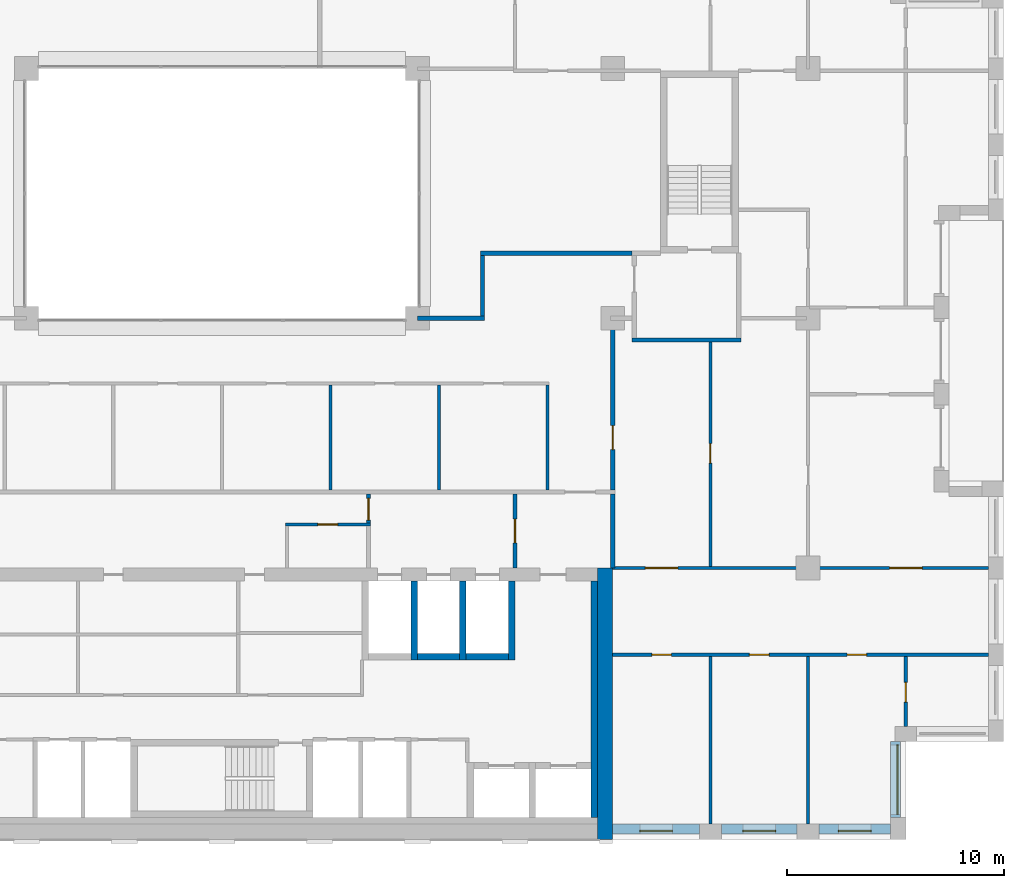
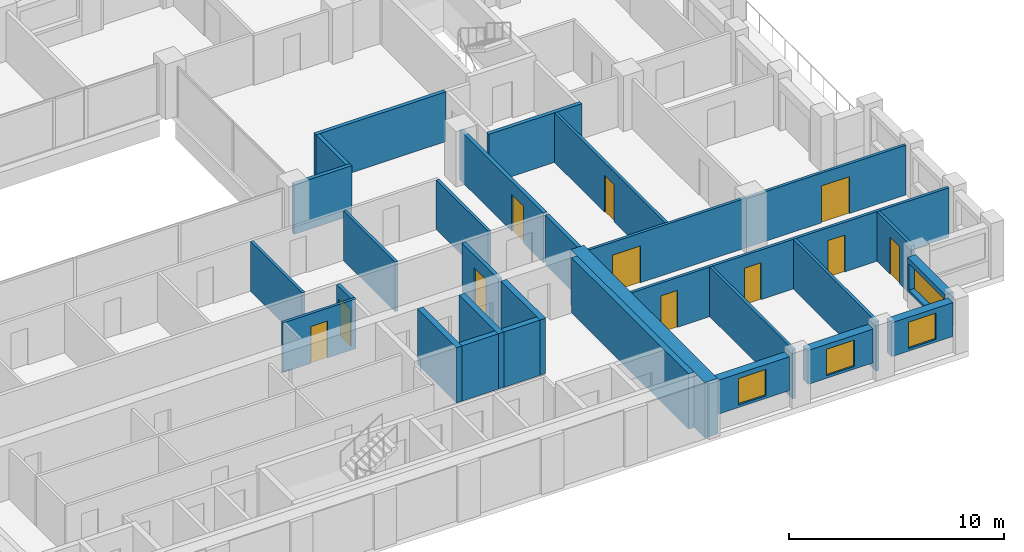
# One storey, part 11 of 16: 29 walls, 11 doors, 4 windows, 15 openings.
"""IFC4 building model written with IfcOpenShell, lengths in metres."""

import ifcopenshell
import ifcopenshell.guid

model = None  # the IFC model being written
_history = None  # IfcOwnerHistory: only IFC2X3 demands one
_inside = {}  # id of a spatial element -> (the spatial element, [elements in it])
_under = {}  # id of a project, library or spatial element -> (it, [spatial elements below it])
_declared = {}  # id of a project -> (the project, [libraries it declares])
_typed = {}  # id of a type object -> (the type object, [elements of that type])
_made_of = {}  # id of a material, layer set ... -> (it, [elements and type objects made of it])


def new_model(schema):
    """Start an empty IFC model of exactly this schema.

    Asked for "IFC4X3", IfcOpenShell would pick the latest addendum, in which some entities
    have other attributes; the version numbers below select the first issue.
    IFC2X3 requires an IfcOwnerHistory on every rooted entity: one is made here for all.
    """
    global model, _history
    if schema == "IFC4X3":
        model = ifcopenshell.file(schema_version=(4, 3, 0, 0))
    else:
        model = ifcopenshell.file(schema=schema)
    _inside.clear()
    _under.clear()
    _declared.clear()
    _typed.clear()
    _made_of.clear()
    _history = None
    if model.schema == "IFC2X3":
        org = make("IfcOrganization", Name="unknown")
        user = make(
            "IfcPersonAndOrganization",
            ThePerson=make("IfcPerson", FamilyName="unknown"),
            TheOrganization=org,
        )
        app = make(
            "IfcApplication",
            ApplicationDeveloper=org,
            Version="unknown",
            ApplicationFullName="unknown",
            ApplicationIdentifier="unknown",
        )
        _history = make(
            "IfcOwnerHistory",
            OwningUser=user,
            OwningApplication=app,
            ChangeAction="ADDED",
            CreationDate=0,
        )
    return model


def make(cls, **values):
    """One entity of the class cls with the attributes given. An attribute that is None is left unset."""
    return model.create_entity(
        cls, **{name: value for name, value in values.items() if value is not None}
    )


def rooted(cls, **values):
    """An entity with a GlobalId (a new one), such as an element, a storey or a relation."""
    return make(cls, GlobalId=ifcopenshell.guid.new(), OwnerHistory=_history, **values)


def si_unit(unit_type, name, prefix=None):
    """IfcSIUnit, for example si_unit("LENGTHUNIT", "METRE", prefix="MILLI")."""
    return make("IfcSIUnit", UnitType=unit_type, Prefix=prefix, Name=name)


def assignment(units):
    """IfcUnitAssignment: the units of a project."""
    return None if units is None else make("IfcUnitAssignment", Units=units)


def point(xyz):
    """IfcCartesianPoint."""
    return None if xyz is None else make("IfcCartesianPoint", Coordinates=xyz)


def direction(xyz):
    """IfcDirection."""
    return None if xyz is None else make("IfcDirection", DirectionRatios=xyz)


def frame(location, z_axis=None, x_axis=None):
    """IfcAxis2Placement3D, a coordinate frame: its origin and axes. An axis left out is left unset."""
    return make(
        "IfcAxis2Placement3D",
        Location=point(location),
        Axis=direction(z_axis),
        RefDirection=direction(x_axis),
    )


def frame_2d(location, x_axis=None):
    """IfcAxis2Placement2D, a coordinate frame in the plane: its origin and x axis."""
    return make(
        "IfcAxis2Placement2D", Location=point(location), RefDirection=direction(x_axis)
    )


def origin():
    """The frame at (0, 0, 0) with its axes left unset."""
    return frame((0.0, 0.0, 0.0))


def place(relative_to, where):
    """IfcLocalPlacement: puts the frame where relative to a parent placement (None: the world)."""
    return make(
        "IfcLocalPlacement", PlacementRelTo=relative_to, RelativePlacement=where
    )


def context(
    kind, dimensions, precision=None, world=None, true_north=None, identifier=None
):
    """IfcGeometricRepresentationContext, for example the 3D "Model" context."""
    return make(
        "IfcGeometricRepresentationContext",
        ContextIdentifier=identifier,
        ContextType=kind,
        CoordinateSpaceDimension=dimensions,
        Precision=precision,
        WorldCoordinateSystem=world,
        TrueNorth=true_north,
    )


def subcontext(parent, identifier, kind, view, scale=None):
    """IfcGeometricRepresentationSubContext, for example "Body" below "Model"."""
    return make(
        "IfcGeometricRepresentationSubContext",
        ContextIdentifier=identifier,
        ContextType=kind,
        ParentContext=parent,
        TargetScale=scale,
        TargetView=view,
    )


def project(units=None, contexts=None):
    """IfcProject with its units and contexts."""
    return rooted(
        "IfcProject",
        Name="project",
        RepresentationContexts=contexts,
        UnitsInContext=assignment(units),
    )


def spatial(cls, under=None, at=None, **own):
    """A site, building, storey or space (cls), placed at a placement, below another one or the project."""
    s = rooted(cls, ObjectPlacement=at, **own)
    if under is not None:
        _under.setdefault(under.id(), (under, []))[1].append(s)
    return s


def profile(cls, at=None, kind="AREA", **sizes):
    """A parametric profile (cls). Its sizes go by their IFC names, for example OverallWidth=200.0."""
    return make(cls, ProfileType=kind, Position=at, **sizes)


def rectangle(**sizes):
    """IfcRectangleProfileDef."""
    return profile("IfcRectangleProfileDef", **sizes)


def extrude(swept, where, along, depth):
    """IfcExtrudedAreaSolid: the profile swept, set in the frame where, extruded along a direction by depth."""
    return make(
        "IfcExtrudedAreaSolid",
        SweptArea=swept,
        Position=where,
        ExtrudedDirection=direction(along),
        Depth=depth,
    )


def shape(context_of_items, identifier, shape_type, items):
    """IfcShapeRepresentation: the items that make up one representation, for example the "Body"."""
    return make(
        "IfcShapeRepresentation",
        ContextOfItems=context_of_items,
        RepresentationIdentifier=identifier,
        RepresentationType=shape_type,
        Items=items,
    )


def material(Name=None, Category=None):
    """IfcMaterial."""
    return make("IfcMaterial", Name=Name, Category=Category)


def layer(
    of_material, thickness, ventilated=None, Name=None, Category=None, Priority=None
):
    """IfcMaterialLayer: one layer of a wall or slab, of a material (None: an air gap)."""
    return make(
        "IfcMaterialLayer",
        Material=of_material,
        LayerThickness=thickness,
        IsVentilated=ventilated,
        Name=Name,
        Category=Category,
        Priority=Priority,
    )


def layer_set(layers, Name=None):
    """IfcMaterialLayerSet."""
    return make("IfcMaterialLayerSet", MaterialLayers=layers, LayerSetName=Name)


def made_of(thing, what):
    """Note that an element or type object is made of a material, layer set ...; save() writes the relation."""
    if what is not None:
        _made_of.setdefault(what.id(), (what, []))[1].append(thing)
    return thing


def type_object(cls, material=None, **own):
    """A type object (cls), such as IfcWallType, which elements share."""
    return made_of(rooted(cls, **own), material)


def element(
    cls,
    number,
    at=None,
    inside=None,
    cuts=None,
    type_object=None,
    material=None,
    context=None,
    identifier="Body",
    shape_type=None,
    held_by="IfcProductDefinitionShape",
    body=None,
    shapes=None,
    **own,
):
    """One element of the class cls, such as IfcWall. Its Tag is "e" and its number.

    at: its placement. inside: the storey or other place that contains it. cuts: it is an
    opening in that element (IfcRelVoidsElement). A single representation is given by context,
    identifier, shape_type and body (its items); several are given by shapes. held_by: the class
    of the entity that holds the representations. save() writes the other relations.
    """
    e = rooted(cls, Tag="e%d" % number, ObjectPlacement=at, **own)
    if body is not None:
        shapes = [shape(context, identifier, shape_type, body)]
    if shapes is not None:
        e.Representation = make(held_by, Representations=shapes)
    if inside is not None:
        _inside.setdefault(inside.id(), (inside, []))[1].append(e)
    if cuts is not None:
        rooted(
            "IfcRelVoidsElement", RelatingBuildingElement=cuts, RelatedOpeningElement=e
        )
    if type_object is not None:
        _typed.setdefault(type_object.id(), (type_object, []))[1].append(e)
    return made_of(e, material)


def fill(opening, filler):
    """IfcRelFillsElement: the door or window that sits in an opening."""
    return rooted(
        "IfcRelFillsElement",
        RelatingOpeningElement=opening,
        RelatedBuildingElement=filler,
    )


def aggregate(whole, parts):
    """IfcRelAggregates: a whole, such as a stair, and the parts it consists of."""
    return rooted("IfcRelAggregates", RelatingObject=whole, RelatedObjects=parts)


def save(model, path):
    """Write the relations noted so far, then the file.

    IfcRelAggregates (storeys below a building ...), IfcRelContainedInSpatialStructure (elements
    in a storey), IfcRelDefinesByType, IfcRelAssociatesMaterial and IfcRelDeclares: one each for
    every whole, place, type object, material and project.
    """
    for whole, parts in _under.values():
        aggregate(whole, parts)
    for where, things in _inside.values():
        rooted(
            "IfcRelContainedInSpatialStructure",
            RelatedElements=things,
            RelatingStructure=where,
        )
    for kind, things in _typed.values():
        rooted("IfcRelDefinesByType", RelatedObjects=things, RelatingType=kind)
    for what, things in _made_of.values():
        rooted("IfcRelAssociatesMaterial", RelatedObjects=things, RelatingMaterial=what)
    for by, libraries in _declared.values():
        rooted("IfcRelDeclares", RelatingContext=by, RelatedDefinitions=libraries)
    model.write(path)


model = new_model("IFC4")

# Units and contexts
model_context = context("Model", 3, precision=1e-05, world=origin(), true_north=direction((0.0, 1.0)))
body_context = subcontext(model_context, "Body", "Model", "MODEL_VIEW")
ifc_project = project(units=[si_unit("LENGTHUNIT", "METRE"), si_unit("AREAUNIT", "SQUARE_METRE"), si_unit("VOLUMEUNIT", "CUBIC_METRE"), si_unit("PLANEANGLEUNIT", "RADIAN"), si_unit("MASSUNIT", "GRAM", prefix="KILO")], contexts=[model_context])

# Site, building, storey
site_placement = place(None, origin())
site = spatial("IfcSite", under=ifc_project, at=site_placement, CompositionType="ELEMENT")
building_placement = place(site_placement, origin())
building = spatial("IfcBuilding", under=site, at=building_placement, Name="Brigalow Station Residences", CompositionType="ELEMENT")
storey_placement = place(building_placement, frame((0.0, 0.0, 179.10009765625)))
storey = spatial("IfcBuildingStorey", under=building, at=storey_placement, Name="L52", CompositionType="ELEMENT", Elevation=179.10009765625)

# Wall, opening, window
ifc_material_1 = material(Name="Clay brick masonry", Category="masonry")
ifc_layer_1 = layer(ifc_material_1, 0.449951171875)
ifc_layer_set_1 = layer_set([ifc_layer_1], Name="BRICK INFILL WALL 450")
wall_type_1 = type_object("IfcWallType", Name="BRICK INFILL WALL 450", PredefinedType="SOLIDWALL", material=ifc_layer_set_1)
wall_1_placement = place(storey_placement, frame((54.0, 0.47509765625, 0.89990234375), z_axis=(0.0, 0.0, 1.0), x_axis=(1.0, 0.0, 0.0)))
wall_1 = element("IfcWall", 1, at=wall_1_placement, inside=storey, type_object=wall_type_1, Name="L52/ewall/W-L52-4", PredefinedType="SOLIDWALL", context=body_context, shape_type="SweptSolid", body=[
    extrude(rectangle(XDim=4.0, YDim=0.449951171875, at=frame_2d((2.0, 0.0))), origin(), (0.0, 0.0, 1.0), 1.929931640625),
])
opening_1_placement = place(wall_1_placement, frame((1.25, 0.0, 0.14990234375)))
opening_1 = element("IfcOpeningElement", 2, at=opening_1_placement, cuts=wall_1, Name="Opening WT-1", PredefinedType="OPENING", context=body_context, shape_type="SweptSolid", body=[
    extrude(rectangle(XDim=1.5, YDim=1.5, at=frame_2d((0.75, 0.75))), frame((0.0, 0.23486328125, 0.0), z_axis=(0.0, -1.0, 0.0), x_axis=(1.0, 0.0, 0.0)), (0.0, 0.0, 1.0), 0.469970703125),
])
ifc_material_2 = material(Name="Anodised aluminium frame with double glazing", Category="aluminium")
window_type_1 = type_object("IfcWindowType", Name="WINDOW 1500x1500", PartitioningType="SINGLE_PANEL", PredefinedType="WINDOW", material=ifc_material_2)
window_1_placement = place(opening_1_placement, origin())
window_1 = element("IfcWindow", 3, at=window_1_placement, inside=storey, type_object=window_type_1, Name="L52/window/W-L52-4", OverallHeight=1.5, OverallWidth=1.5, PartitioningType="SINGLE_PANEL", PredefinedType="WINDOW", context=body_context, shape_type="SweptSolid", body=[
    extrude(rectangle(XDim=1.5, YDim=1.5, at=frame_2d((0.75, 0.75))), frame((0.0, -0.06494140625, 0.0), z_axis=(0.0, -1.0, 0.0), x_axis=(1.0, 0.0, 0.0)), (0.0, 0.0, 1.0), 0.06005859375),
])
fill(opening_1, window_1)

wall_2_placement = place(storey_placement, frame((59.0, 0.47509765625, 0.89990234375), z_axis=(0.0, 0.0, 1.0), x_axis=(1.0, 0.0, 0.0)))
wall_2 = element("IfcWall", 4, at=wall_2_placement, inside=storey, type_object=wall_type_1, Name="L52/ewall/W-L52-5", PredefinedType="SOLIDWALL", context=body_context, shape_type="SweptSolid", body=[
    extrude(rectangle(XDim=3.5, YDim=0.449951171875, at=frame_2d((1.75, 0.0))), origin(), (0.0, 0.0, 1.0), 1.929931640625),
])
opening_2_placement = place(wall_2_placement, frame((1.0, 0.0, 0.14990234375)))
opening_2 = element("IfcOpeningElement", 5, at=opening_2_placement, cuts=wall_2, Name="Opening WT-1", PredefinedType="OPENING", context=body_context, shape_type="SweptSolid", body=[
    extrude(rectangle(XDim=1.5, YDim=1.5, at=frame_2d((0.75, 0.75))), frame((0.0, 0.23486328125, 0.0), z_axis=(0.0, -1.0, 0.0), x_axis=(1.0, 0.0, 0.0)), (0.0, 0.0, 1.0), 0.469970703125),
])
window_2_placement = place(opening_2_placement, origin())
window_2 = element("IfcWindow", 6, at=window_2_placement, inside=storey, type_object=window_type_1, Name="L52/window/W-L52-5", OverallHeight=1.5, OverallWidth=1.5, PartitioningType="SINGLE_PANEL", PredefinedType="WINDOW", context=body_context, shape_type="SweptSolid", body=[
    extrude(rectangle(XDim=1.5, YDim=1.5, at=frame_2d((0.75, 0.75))), frame((0.0, -0.06494140625, 0.0), z_axis=(0.0, -1.0, 0.0), x_axis=(1.0, 0.0, 0.0)), (0.0, 0.0, 1.0), 0.06005859375),
])
fill(opening_2, window_2)

wall_3_placement = place(storey_placement, frame((63.5, 0.47509765625, 0.89990234375), z_axis=(0.0, 0.0, 1.0), x_axis=(1.0, 0.0, 0.0)))
wall_3 = element("IfcWall", 7, at=wall_3_placement, inside=storey, type_object=wall_type_1, Name="L52/ewall/W-L52-6", PredefinedType="SOLIDWALL", context=body_context, shape_type="SweptSolid", body=[
    extrude(rectangle(XDim=3.300048828125, YDim=0.449951171875, at=frame_2d((1.64990234375, 0.0))), origin(), (0.0, 0.0, 1.0), 1.929931640625),
])
opening_3_placement = place(wall_3_placement, frame((0.89990234375, 0.0, 0.14990234375)))
opening_3 = element("IfcOpeningElement", 8, at=opening_3_placement, cuts=wall_3, Name="Opening WT-1", PredefinedType="OPENING", context=body_context, shape_type="SweptSolid", body=[
    extrude(rectangle(XDim=1.5, YDim=1.5, at=frame_2d((0.75, 0.75))), frame((0.0, 0.23486328125, 0.0), z_axis=(0.0, -1.0, 0.0), x_axis=(1.0, 0.0, 0.0)), (0.0, 0.0, 1.0), 0.469970703125),
])
window_3_placement = place(opening_3_placement, origin())
window_3 = element("IfcWindow", 9, at=window_3_placement, inside=storey, type_object=window_type_1, Name="L52/window/W-L52-6", OverallHeight=1.5, OverallWidth=1.5, PartitioningType="SINGLE_PANEL", PredefinedType="WINDOW", context=body_context, shape_type="SweptSolid", body=[
    extrude(rectangle(XDim=1.5, YDim=1.5, at=frame_2d((0.75, 0.75))), frame((0.0, -0.06494140625, 0.0), z_axis=(0.0, -1.0, 0.0), x_axis=(1.0, 0.0, 0.0)), (0.0, 0.0, 1.0), 0.06005859375),
])
fill(opening_3, window_3)

wall_4_placement = place(storey_placement, frame((67.02490234375, 1.0, 0.89990234375), z_axis=(0.0, 0.0, 1.0), x_axis=(0.0, 1.0, 0.0)))
wall_4 = element("IfcWall", 10, at=wall_4_placement, inside=storey, type_object=wall_type_1, Name="L52/ewall/W-L52-7", PredefinedType="SOLIDWALL", context=body_context, shape_type="SweptSolid", body=[
    extrude(rectangle(XDim=3.5, YDim=0.449951171875, at=frame_2d((1.75, 0.0))), origin(), (0.0, 0.0, 1.0), 1.929931640625),
])
opening_4_placement = place(wall_4_placement, frame((0.14990234375, 0.0, 0.14990234375)))
opening_4 = element("IfcOpeningElement", 11, at=opening_4_placement, cuts=wall_4, Name="Opening WT-9", PredefinedType="OPENING", context=body_context, shape_type="SweptSolid", body=[
    extrude(rectangle(XDim=3.199951171875, YDim=1.5, at=frame_2d((1.60009765625, 0.75))), frame((0.0, 0.23486328125, 0.0), z_axis=(0.0, -1.0, 0.0), x_axis=(1.0, 0.0, 0.0)), (0.0, 0.0, 1.0), 0.469970703125),
])
ifc_material_3 = material(Name="Anodised aluminium frame with double glazing", Category="aluminium")
window_type_2 = type_object("IfcWindowType", Name="WINDOW 3200x1500", PartitioningType="SINGLE_PANEL", PredefinedType="WINDOW", material=ifc_material_3)
window_4_placement = place(opening_4_placement, origin())
window_4 = element("IfcWindow", 12, at=window_4_placement, inside=storey, type_object=window_type_2, Name="L52/window/W-L52-7", OverallHeight=1.5, OverallWidth=3.199951171875, PartitioningType="SINGLE_PANEL", PredefinedType="WINDOW", context=body_context, shape_type="SweptSolid", body=[
    extrude(rectangle(XDim=3.199951171875, YDim=1.5, at=frame_2d((1.60009765625, 0.75))), frame((0.0, -0.06494140625, 0.0), z_axis=(0.0, -1.0, 0.0), x_axis=(1.0, 0.0, 0.0)), (0.0, 0.0, 1.0), 0.06005859375),
])
fill(opening_4, window_4)

# Walls
ifc_material_4 = material(Name="Concrete C65", Category="concrete")
ifc_layer_2 = layer(ifc_material_4, 0.300048828125)
ifc_layer_set_2 = layer_set([ifc_layer_2], Name="CORE SHEAR WALL 300 C65")
wall_type_2 = type_object("IfcWallType", Name="CORE SHEAR WALL 300 C65", PredefinedType="SHEAR", material=ifc_layer_set_2)
wall_5_placement = place(storey_placement, frame((53.14990234375, 1.0, 0.0), z_axis=(0.0, 0.0, 1.0), x_axis=(0.0, 1.0, 0.0)))
element("IfcWall", 13, at=wall_5_placement, inside=storey, type_object=wall_type_2, Name="CORE WALL LIN-E L52", PredefinedType="SHEAR", context=body_context, shape_type="SweptSolid", body=[
    extrude(rectangle(XDim=10.89990234375, YDim=0.300048828125, at=frame_2d((5.449951171875, 0.0))), origin(), (0.0, 0.0, 1.0), 3.14990234375),
])
wall_6_placement = place(storey_placement, frame((45.0, 8.39990234375, 0.0), z_axis=(0.0, 0.0, 1.0), x_axis=(1.0, 0.0, 0.0)))
element("IfcWall", 14, at=wall_6_placement, inside=storey, type_object=wall_type_2, Name="CORE WALL SH-FF2-S L52", PredefinedType="SHEAR", context=body_context, shape_type="SweptSolid", body=[
    extrude(rectangle(XDim=1.949951171875, YDim=0.300048828125, at=frame_2d((0.97509765625, 0.0))), origin(), (0.0, 0.0, 1.0), 3.14990234375),
])
wall_7_placement = place(storey_placement, frame((44.85009765625, 8.25, 0.0), z_axis=(0.0, 0.0, 1.0), x_axis=(0.0, 1.0, 0.0)))
element("IfcWall", 15, at=wall_7_placement, inside=storey, type_object=wall_type_2, Name="CORE WALL SH-FF2-W L52", PredefinedType="SHEAR", context=body_context, shape_type="SweptSolid", body=[
    extrude(rectangle(XDim=3.64990234375, YDim=0.300048828125, at=frame_2d((1.824951171875, 0.0))), origin(), (0.0, 0.0, 1.0), 3.14990234375),
])
wall_8_placement = place(storey_placement, frame((47.25, 8.39990234375, 0.0), z_axis=(0.0, 0.0, 1.0), x_axis=(1.0, 0.0, 0.0)))
element("IfcWall", 16, at=wall_8_placement, inside=storey, type_object=wall_type_2, Name="CORE WALL SH-SL1-S L52", PredefinedType="SHEAR", context=body_context, shape_type="SweptSolid", body=[
    extrude(rectangle(XDim=1.949951171875, YDim=0.300048828125, at=frame_2d((0.97509765625, 0.0))), origin(), (0.0, 0.0, 1.0), 3.14990234375),
])
for number, where, z_axis, x_axis, name in (
    (17, (47.10009765625, 8.25, 0.0), (0.0, 0.0, 1.0), (0.0, 1.0, 0.0), "CORE WALL SH-SL1-W L52"),
    (18, (49.35009765625, 8.25, 0.0), (0.0, 0.0, 1.0), (0.0, 1.0, 0.0), "CORE WALL SH-SL1-E L52"),
):
    element("IfcWall", number, at=place(storey_placement, frame(where, z_axis=z_axis, x_axis=x_axis)), inside=storey, type_object=wall_type_2, Name=name, PredefinedType="SHEAR", context=body_context, shape_type="SweptSolid", body=[
        extrude(rectangle(XDim=3.64990234375, YDim=0.300048828125, at=frame_2d((1.824951171875, 0.0))), origin(), (0.0, 0.0, 1.0), 3.14990234375),
    ])
ifc_material_5 = material(Name="Concrete C65", Category="concrete")
ifc_layer_3 = layer(ifc_material_5, 0.699951171875)
ifc_layer_set_3 = layer_set([ifc_layer_3], Name="CORE SHEAR WALL 700 C65")
wall_type_3 = type_object("IfcWallType", Name="CORE SHEAR WALL 700 C65", PredefinedType="SHEAR", material=ifc_layer_set_3)
wall_9_placement = place(storey_placement, frame((53.64990234375, 0.0, 0.0), z_axis=(0.0, 0.0, 1.0), x_axis=(0.0, 1.0, 0.0)))
element("IfcWall", 19, at=wall_9_placement, inside=storey, type_object=wall_type_3, Name="CORE WALL OUT-E L52", PredefinedType="SHEAR", context=body_context, shape_type="SweptSolid", body=[
    extrude(rectangle(XDim=12.5, YDim=0.699951171875, at=frame_2d((6.25, 0.0))), origin(), (0.0, 0.0, 1.0), 3.14990234375),
])
ifc_material_6 = material(Name="Concrete blockwork", Category="masonry")
ifc_layer_4 = layer(ifc_material_6, 0.199951171875)
ifc_layer_set_4 = layer_set([ifc_layer_4], Name="FIRE RATED CORE PARTITION 200")
wall_type_4 = type_object("IfcWallType", Name="FIRE RATED CORE PARTITION 200", PredefinedType="PARTITIONING", material=ifc_layer_set_4)
wall_10_placement = place(storey_placement, frame((54.89990234375, 23.0, 0.0), z_axis=(0.0, 0.0, 1.0), x_axis=(1.0, 0.0, 0.0)))
element("IfcWall", 20, at=wall_10_placement, inside=storey, type_object=wall_type_4, Name="PW-5024", PredefinedType="PARTITIONING", context=body_context, shape_type="SweptSolid", body=[
    extrude(rectangle(XDim=5.0, YDim=0.199951171875, at=frame_2d((2.5, 0.0))), origin(), (0.0, 0.0, 1.0), 2.829833984375),
])

# Wall, opening, door
wall_11_placement = place(storey_placement, frame((49.5, 12.5, 0.0), z_axis=(0.0, 0.0, 1.0), x_axis=(0.0, 1.0, 0.0)))
wall_11 = element("IfcWall", 21, at=wall_11_placement, inside=storey, type_object=wall_type_4, Name="PW-5015", PredefinedType="PARTITIONING", context=body_context, shape_type="SweptSolid", body=[
    extrude(rectangle(XDim=3.39990234375, YDim=0.199951171875, at=frame_2d((1.699951171875, 0.0))), origin(), (0.0, 0.0, 1.0), 2.829833984375),
])
opening_5_placement = place(wall_11_placement, frame((1.14990234375, 0.0, 0.0)))
opening_5 = element("IfcOpeningElement", 22, at=opening_5_placement, cuts=wall_11, Name="Opening D-5014", PredefinedType="OPENING", context=body_context, shape_type="SweptSolid", body=[
    extrude(rectangle(XDim=1.10009765625, YDim=2.10009765625, at=frame_2d((0.550048828125, 1.050048828125))), frame((0.0, 0.10986328125, 0.0), z_axis=(0.0, -1.0, 0.0), x_axis=(1.0, 0.0, 0.0)), (0.0, 0.0, 1.0), 0.219970703125),
])
ifc_material_7 = material(Name="Steel fire door leaf in steel frame", Category="steel")
door_type_1 = type_object("IfcDoorType", Name="LOBBY DOOR 1100 x 2100 FD60S", OperationType="SINGLE_SWING_LEFT", PredefinedType="DOOR", material=ifc_material_7)
door_1_placement = place(opening_5_placement, origin())
door_1 = element("IfcDoor", 23, at=door_1_placement, inside=storey, type_object=door_type_1, Name="D-5014", OperationType="SINGLE_SWING_LEFT", OverallHeight=2.10009765625, OverallWidth=1.10009765625, PredefinedType="DOOR", context=body_context, shape_type="SweptSolid", body=[
    extrude(rectangle(XDim=1.10009765625, YDim=2.10009765625, at=frame_2d((0.550048828125, 1.050048828125))), frame((0.0, 0.02490234375, 0.0), z_axis=(0.0, -1.0, 0.0), x_axis=(1.0, 0.0, 0.0)), (0.0, 0.0, 1.0), 0.050048828125),
])
fill(opening_5, door_1)

# Wall
wall_12_placement = place(storey_placement, frame((54.0, 12.5, 0.0), z_axis=(0.0, 0.0, 1.0), x_axis=(0.0, 1.0, 0.0)))
element("IfcWall", 24, at=wall_12_placement, inside=storey, type_object=wall_type_4, Name="PW-5016", PredefinedType="PARTITIONING", context=body_context, shape_type="SweptSolid", body=[
    extrude(rectangle(XDim=3.39990234375, YDim=0.199951171875, at=frame_2d((1.699951171875, 0.0))), origin(), (0.0, 0.0, 1.0), 2.829833984375),
])

# Wall, opening, door
wall_13_placement = place(storey_placement, frame((42.75, 14.574951171875, 0.0), z_axis=(0.0, 0.0, 1.0), x_axis=(0.0, 1.0, 0.0)))
wall_13 = element("IfcWall", 25, at=wall_13_placement, inside=storey, type_object=wall_type_4, Name="PW-5047", PredefinedType="PARTITIONING", context=body_context, shape_type="SweptSolid", body=[
    extrude(rectangle(XDim=1.324951171875, YDim=0.199951171875, at=frame_2d((0.66259765625, 0.0))), origin(), (0.0, 0.0, 1.0), 2.829833984375),
])
opening_6_placement = place(wall_13_placement, frame((0.125, 0.0, 0.0)))
opening_6 = element("IfcOpeningElement", 26, at=opening_6_placement, cuts=wall_13, Name="Opening D-5013", PredefinedType="OPENING", context=body_context, shape_type="SweptSolid", body=[
    extrude(rectangle(XDim=1.0, YDim=2.10009765625, at=frame_2d((0.5, 1.050048828125))), frame((0.0, 0.10986328125, 0.0), z_axis=(0.0, -1.0, 0.0), x_axis=(1.0, 0.0, 0.0)), (0.0, 0.0, 1.0), 0.219970703125),
])
ifc_material_8 = material(Name="Steel fire door leaf in steel frame", Category="steel")
door_type_2 = type_object("IfcDoorType", Name="LOBBY DOOR 1000 x 2100 FD60S", OperationType="SINGLE_SWING_LEFT", PredefinedType="DOOR", material=ifc_material_8)
door_2_placement = place(opening_6_placement, origin())
door_2 = element("IfcDoor", 27, at=door_2_placement, inside=storey, type_object=door_type_2, Name="D-5013", OperationType="SINGLE_SWING_LEFT", OverallHeight=2.10009765625, OverallWidth=1.0, PredefinedType="DOOR", context=body_context, shape_type="SweptSolid", body=[
    extrude(rectangle(XDim=1.0, YDim=2.10009765625, at=frame_2d((0.5, 1.050048828125))), frame((0.0, 0.02490234375, 0.0), z_axis=(0.0, -1.0, 0.0), x_axis=(1.0, 0.0, 0.0)), (0.0, 0.0, 1.0), 0.050048828125),
])
fill(opening_6, door_2)

# Wall, openings, doors
ifc_material_9 = material(Name="Plasterboard on steel stud partition", Category="steel")
ifc_layer_5 = layer(ifc_material_9, 0.14990234375)
ifc_layer_set_5 = layer_set([ifc_layer_5], Name="FLAT PARTITION 150")
wall_type_5 = type_object("IfcWallType", Name="FLAT PARTITION 150", PredefinedType="PARTITIONING", material=ifc_layer_set_5)
wall_14_placement = place(storey_placement, frame((54.0, 8.5, 0.0), z_axis=(0.0, 0.0, 1.0), x_axis=(1.0, 0.0, 0.0)))
wall_14 = element("IfcWall", 28, at=wall_14_placement, inside=storey, type_object=wall_type_5, Name="PW-3F21", PredefinedType="PARTITIONING", context=body_context, shape_type="SweptSolid", body=[
    extrude(rectangle(XDim=17.300048828125, YDim=0.14990234375, at=frame_2d((8.64990234375, 0.0))), origin(), (0.0, 0.0, 1.0), 2.829833984375),
])
opening_7_placement = place(wall_14_placement, frame((1.800048828125, 0.0, 0.0)))
opening_7 = element("IfcOpeningElement", 29, at=opening_7_placement, cuts=wall_14, Name="Opening D-3F20", PredefinedType="OPENING", context=body_context, shape_type="SweptSolid", body=[
    extrude(rectangle(XDim=0.89990234375, YDim=2.10009765625, at=frame_2d((0.449951171875, 1.050048828125))), frame((0.0, 0.0849609375, 0.0), z_axis=(0.0, -1.0, 0.0), x_axis=(1.0, 0.0, 0.0)), (0.0, 0.0, 1.0), 0.169921875),
])
opening_8_placement = place(wall_14_placement, frame((6.300048828125, 0.0, 0.0)))
opening_8 = element("IfcOpeningElement", 30, at=opening_8_placement, cuts=wall_14, Name="Opening D-3F21", PredefinedType="OPENING", context=body_context, shape_type="SweptSolid", body=[
    extrude(rectangle(XDim=0.89990234375, YDim=2.10009765625, at=frame_2d((0.449951171875, 1.050048828125))), frame((0.0, 0.0849609375, 0.0), z_axis=(0.0, -1.0, 0.0), x_axis=(1.0, 0.0, 0.0)), (0.0, 0.0, 1.0), 0.169921875),
])
opening_9_placement = place(wall_14_placement, frame((10.800048828125, 0.0, 0.0)))
opening_9 = element("IfcOpeningElement", 31, at=opening_9_placement, cuts=wall_14, Name="Opening D-3F22", PredefinedType="OPENING", context=body_context, shape_type="SweptSolid", body=[
    extrude(rectangle(XDim=0.89990234375, YDim=2.10009765625, at=frame_2d((0.449951171875, 1.050048828125))), frame((0.0, 0.0849609375, 0.0), z_axis=(0.0, -1.0, 0.0), x_axis=(1.0, 0.0, 0.0)), (0.0, 0.0, 1.0), 0.169921875),
])
ifc_material_10 = material(Name="Solid-core timber door leaf", Category="wood")
door_type_3 = type_object("IfcDoorType", Name="INTERNAL DOOR 900 x 2100", OperationType="SINGLE_SWING_LEFT", PredefinedType="DOOR", material=ifc_material_10)
door_3_placement = place(opening_7_placement, frame((0.89990234375, 0.0, 0.0), z_axis=(0.0, 0.0, 1.0), x_axis=(-1.0, 0.0, 0.0)))
door_3 = element("IfcDoor", 32, at=door_3_placement, inside=storey, type_object=door_type_3, Name="D-3F20", OperationType="SINGLE_SWING_LEFT", OverallHeight=2.10009765625, OverallWidth=0.89990234375, PredefinedType="DOOR", context=body_context, shape_type="SweptSolid", body=[
    extrude(rectangle(XDim=0.89990234375, YDim=2.10009765625, at=frame_2d((0.449951171875, 1.050048828125))), frame((0.0, 0.02490234375, 0.0), z_axis=(0.0, -1.0, 0.0), x_axis=(1.0, 0.0, 0.0)), (0.0, 0.0, 1.0), 0.050048828125),
])
fill(opening_7, door_3)
door_4_placement = place(opening_8_placement, frame((0.89990234375, 0.0, 0.0), z_axis=(0.0, 0.0, 1.0), x_axis=(-1.0, 0.0, 0.0)))
door_4 = element("IfcDoor", 33, at=door_4_placement, inside=storey, type_object=door_type_3, Name="D-3F21", OperationType="SINGLE_SWING_RIGHT", OverallHeight=2.10009765625, OverallWidth=0.89990234375, PredefinedType="DOOR", context=body_context, shape_type="SweptSolid", body=[
    extrude(rectangle(XDim=0.89990234375, YDim=2.10009765625, at=frame_2d((0.449951171875, 1.050048828125))), frame((0.0, 0.02490234375, 0.0), z_axis=(0.0, -1.0, 0.0), x_axis=(1.0, 0.0, 0.0)), (0.0, 0.0, 1.0), 0.050048828125),
])
fill(opening_8, door_4)
door_5_placement = place(opening_9_placement, frame((0.89990234375, 0.0, 0.0), z_axis=(0.0, 0.0, 1.0), x_axis=(-1.0, 0.0, 0.0)))
door_5 = element("IfcDoor", 34, at=door_5_placement, inside=storey, type_object=door_type_3, Name="D-3F22", OperationType="SINGLE_SWING_LEFT", OverallHeight=2.10009765625, OverallWidth=0.89990234375, PredefinedType="DOOR", context=body_context, shape_type="SweptSolid", body=[
    extrude(rectangle(XDim=0.89990234375, YDim=2.10009765625, at=frame_2d((0.449951171875, 1.050048828125))), frame((0.0, 0.02490234375, 0.0), z_axis=(0.0, -1.0, 0.0), x_axis=(1.0, 0.0, 0.0)), (0.0, 0.0, 1.0), 0.050048828125),
])
fill(opening_9, door_5)

wall_15_placement = place(storey_placement, frame((54.0, 12.5, 0.0), z_axis=(0.0, 0.0, 1.0), x_axis=(1.0, 0.0, 0.0)))
wall_15 = element("IfcWall", 35, at=wall_15_placement, inside=storey, type_object=wall_type_5, Name="PW-3F23", PredefinedType="PARTITIONING", context=body_context, shape_type="SweptSolid", body=[
    extrude(rectangle(XDim=17.300048828125, YDim=0.14990234375, at=frame_2d((8.64990234375, 0.0))), origin(), (0.0, 0.0, 1.0), 2.829833984375),
])
opening_10_placement = place(wall_15_placement, frame((1.5, 0.0, 0.0)))
opening_10 = element("IfcOpeningElement", 36, at=opening_10_placement, cuts=wall_15, Name="Opening D-3F18", PredefinedType="OPENING", context=body_context, shape_type="SweptSolid", body=[
    extrude(rectangle(XDim=1.5, YDim=2.10009765625, at=frame_2d((0.75, 1.050048828125))), frame((0.0, 0.0849609375, 0.0), z_axis=(0.0, -1.0, 0.0), x_axis=(1.0, 0.0, 0.0)), (0.0, 0.0, 1.0), 0.169921875),
])
opening_11_placement = place(wall_15_placement, frame((12.75, 0.0, 0.0)))
opening_11 = element("IfcOpeningElement", 37, at=opening_11_placement, cuts=wall_15, Name="Opening D-3F24", PredefinedType="OPENING", context=body_context, shape_type="SweptSolid", body=[
    extrude(rectangle(XDim=1.5, YDim=2.10009765625, at=frame_2d((0.75, 1.050048828125))), frame((0.0, 0.0849609375, 0.0), z_axis=(0.0, -1.0, 0.0), x_axis=(1.0, 0.0, 0.0)), (0.0, 0.0, 1.0), 0.169921875),
])
ifc_material_11 = material(Name="Solid-core timber door leaf", Category="wood")
door_type_4 = type_object("IfcDoorType", Name="INTERNAL DOUBLE DOOR 1500 x 2100", OperationType="DOUBLE_DOOR_SINGLE_SWING", PredefinedType="DOOR", material=ifc_material_11)
door_6_placement = place(opening_10_placement, origin())
door_6 = element("IfcDoor", 38, at=door_6_placement, inside=storey, type_object=door_type_4, Name="D-3F18", OperationType="DOUBLE_DOOR_SINGLE_SWING", OverallHeight=2.10009765625, OverallWidth=1.5, PredefinedType="DOOR", context=body_context, shape_type="SweptSolid", body=[
    extrude(rectangle(XDim=1.5, YDim=2.10009765625, at=frame_2d((0.75, 1.050048828125))), frame((0.0, 0.02490234375, 0.0), z_axis=(0.0, -1.0, 0.0), x_axis=(1.0, 0.0, 0.0)), (0.0, 0.0, 1.0), 0.050048828125),
])
fill(opening_10, door_6)
door_7_placement = place(opening_11_placement, origin())
door_7 = element("IfcDoor", 39, at=door_7_placement, inside=storey, type_object=door_type_4, Name="D-3F24", OperationType="DOUBLE_DOOR_SINGLE_SWING", OverallHeight=2.10009765625, OverallWidth=1.5, PredefinedType="DOOR", context=body_context, shape_type="SweptSolid", body=[
    extrude(rectangle(XDim=1.5, YDim=2.10009765625, at=frame_2d((0.75, 1.050048828125))), frame((0.0, 0.02490234375, 0.0), z_axis=(0.0, -1.0, 0.0), x_axis=(1.0, 0.0, 0.0)), (0.0, 0.0, 1.0), 0.050048828125),
])
fill(opening_11, door_7)

# Walls
wall_16_placement = place(storey_placement, frame((51.0, 16.10009765625, 0.0), z_axis=(0.0, 0.0, 1.0), x_axis=(0.0, 1.0, 0.0)))
element("IfcWall", 40, at=wall_16_placement, inside=storey, type_object=wall_type_5, Name="PW-3F32", PredefinedType="PARTITIONING", context=body_context, shape_type="SweptSolid", body=[
    extrude(rectangle(XDim=4.824951171875, YDim=0.14990234375, at=frame_2d((2.41259765625, 0.0))), origin(), (0.0, 0.0, 1.0), 2.829833984375),
])
wall_17_placement = place(storey_placement, frame((58.5, 0.699951171875, 0.0), z_axis=(0.0, 0.0, 1.0), x_axis=(0.0, 1.0, 0.0)))
element("IfcWall", 41, at=wall_17_placement, inside=storey, type_object=wall_type_5, Name="PW-3F43", PredefinedType="PARTITIONING", context=body_context, shape_type="SweptSolid", body=[
    extrude(rectangle(XDim=7.72509765625, YDim=0.14990234375, at=frame_2d((3.862548828125, 0.0))), origin(), (0.0, 0.0, 1.0), 2.829833984375),
])

# Wall, opening, door
wall_18_placement = place(storey_placement, frame((58.5, 12.574951171875, 0.0), z_axis=(0.0, 0.0, 1.0), x_axis=(0.0, 1.0, 0.0)))
wall_18 = element("IfcWall", 42, at=wall_18_placement, inside=storey, type_object=wall_type_5, Name="PW-3F44", PredefinedType="PARTITIONING", context=body_context, shape_type="SweptSolid", body=[
    extrude(rectangle(XDim=10.324951171875, YDim=0.14990234375, at=frame_2d((5.16259765625, 0.0))), origin(), (0.0, 0.0, 1.0), 2.829833984375),
])
opening_12_placement = place(wall_18_placement, frame((4.75, 0.0, 0.0)))
opening_12 = element("IfcOpeningElement", 43, at=opening_12_placement, cuts=wall_18, Name="Opening D-3F19", PredefinedType="OPENING", context=body_context, shape_type="SweptSolid", body=[
    extrude(rectangle(XDim=0.89990234375, YDim=2.10009765625, at=frame_2d((0.449951171875, 1.050048828125))), frame((0.0, 0.0849609375, 0.0), z_axis=(0.0, -1.0, 0.0), x_axis=(1.0, 0.0, 0.0)), (0.0, 0.0, 1.0), 0.169921875),
])
door_8_placement = place(opening_12_placement, origin())
door_8 = element("IfcDoor", 44, at=door_8_placement, inside=storey, type_object=door_type_3, Name="D-3F19", OperationType="SINGLE_SWING_RIGHT", OverallHeight=2.10009765625, OverallWidth=0.89990234375, PredefinedType="DOOR", context=body_context, shape_type="SweptSolid", body=[
    extrude(rectangle(XDim=0.89990234375, YDim=2.10009765625, at=frame_2d((0.449951171875, 1.050048828125))), frame((0.0, 0.02490234375, 0.0), z_axis=(0.0, -1.0, 0.0), x_axis=(1.0, 0.0, 0.0)), (0.0, 0.0, 1.0), 0.050048828125),
])
fill(opening_12, door_8)

# Wall
wall_19_placement = place(storey_placement, frame((63.0, 0.699951171875, 0.0), z_axis=(0.0, 0.0, 1.0), x_axis=(0.0, 1.0, 0.0)))
element("IfcWall", 45, at=wall_19_placement, inside=storey, type_object=wall_type_5, Name="PW-3F46", PredefinedType="PARTITIONING", context=body_context, shape_type="SweptSolid", body=[
    extrude(rectangle(XDim=7.72509765625, YDim=0.14990234375, at=frame_2d((3.862548828125, 0.0))), origin(), (0.0, 0.0, 1.0), 2.829833984375),
])

# Wall, opening, door
wall_20_placement = place(storey_placement, frame((67.5, 5.199951171875, 0.0), z_axis=(0.0, 0.0, 1.0), x_axis=(0.0, 1.0, 0.0)))
wall_20 = element("IfcWall", 46, at=wall_20_placement, inside=storey, type_object=wall_type_5, Name="PW-3F49", PredefinedType="PARTITIONING", context=body_context, shape_type="SweptSolid", body=[
    extrude(rectangle(XDim=3.22509765625, YDim=0.14990234375, at=frame_2d((1.612548828125, 0.0))), origin(), (0.0, 0.0, 1.0), 2.829833984375),
])
opening_13_placement = place(wall_20_placement, frame((1.125, 0.0, 0.0)))
opening_13 = element("IfcOpeningElement", 47, at=opening_13_placement, cuts=wall_20, Name="Opening D-3F23", PredefinedType="OPENING", context=body_context, shape_type="SweptSolid", body=[
    extrude(rectangle(XDim=0.89990234375, YDim=2.10009765625, at=frame_2d((0.449951171875, 1.050048828125))), frame((0.0, 0.0849609375, 0.0), z_axis=(0.0, -1.0, 0.0), x_axis=(1.0, 0.0, 0.0)), (0.0, 0.0, 1.0), 0.169921875),
])
door_9_placement = place(opening_13_placement, frame((0.89990234375, 0.0, 0.0), z_axis=(0.0, 0.0, 1.0), x_axis=(-1.0, 0.0, 0.0)))
door_9 = element("IfcDoor", 48, at=door_9_placement, inside=storey, type_object=door_type_3, Name="D-3F23", OperationType="SINGLE_SWING_RIGHT", OverallHeight=2.10009765625, OverallWidth=0.89990234375, PredefinedType="DOOR", context=body_context, shape_type="SweptSolid", body=[
    extrude(rectangle(XDim=0.89990234375, YDim=2.10009765625, at=frame_2d((0.449951171875, 1.050048828125))), frame((0.0, 0.02490234375, 0.0), z_axis=(0.0, -1.0, 0.0), x_axis=(1.0, 0.0, 0.0)), (0.0, 0.0, 1.0), 0.050048828125),
])
fill(opening_13, door_9)

# Walls
for number, where, z_axis, x_axis, name in (
    (49, (41.0, 16.10009765625, 0.0), (0.0, 0.0, 1.0), (0.0, 1.0, 0.0), "PW-3F58"),
    (50, (46.0, 16.10009765625, 0.0), (0.0, 0.0, 1.0), (0.0, 1.0, 0.0), "PW-3F59"),
):
    element("IfcWall", number, at=place(storey_placement, frame(where, z_axis=z_axis, x_axis=x_axis)), inside=storey, type_object=wall_type_5, Name=name, PredefinedType="PARTITIONING", context=body_context, shape_type="SweptSolid", body=[
        extrude(rectangle(XDim=4.824951171875, YDim=0.14990234375, at=frame_2d((2.41259765625, 0.0))), origin(), (0.0, 0.0, 1.0), 2.829833984375),
    ])
ifc_material_12 = material(Name="Plasterboard on steel stud partition", Category="steel")
ifc_layer_6 = layer(ifc_material_12, 0.199951171875)
ifc_layer_set_6 = layer_set([ifc_layer_6], Name="PARTY AND CORRIDOR WALL 200")
wall_type_6 = type_object("IfcWallType", Name="PARTY AND CORRIDOR WALL 200", PredefinedType="PARTITIONING", material=ifc_layer_set_6)
wall_21_placement = place(storey_placement, frame((45.0, 24.0, 0.0), z_axis=(0.0, 0.0, 1.0), x_axis=(1.0, 0.0, 0.0)))
element("IfcWall", 51, at=wall_21_placement, inside=storey, type_object=wall_type_6, Name="PW-3F04", PredefinedType="PARTITIONING", context=body_context, shape_type="SweptSolid", body=[
    extrude(rectangle(XDim=3.10009765625, YDim=0.199951171875, at=frame_2d((1.550048828125, 0.0))), origin(), (0.0, 0.0, 1.0), 2.829833984375),
])
wall_22_placement = place(storey_placement, frame((47.89990234375, 27.0, 0.0), z_axis=(0.0, 0.0, 1.0), x_axis=(1.0, 0.0, 0.0)))
element("IfcWall", 52, at=wall_22_placement, inside=storey, type_object=wall_type_6, Name="PW-3F08", PredefinedType="PARTITIONING", context=body_context, shape_type="SweptSolid", body=[
    extrude(rectangle(XDim=7.0, YDim=0.199951171875, at=frame_2d((3.5, 0.0))), origin(), (0.0, 0.0, 1.0), 2.829833984375),
])

# Wall, opening, door
wall_23_placement = place(storey_placement, frame((54.0, 16.10009765625, 0.0), z_axis=(0.0, 0.0, 1.0), x_axis=(0.0, 1.0, 0.0)))
wall_23 = element("IfcWall", 53, at=wall_23_placement, inside=storey, type_object=wall_type_6, Name="PW-3F30", PredefinedType="PARTITIONING", context=body_context, shape_type="SweptSolid", body=[
    extrude(rectangle(XDim=7.7998046875, YDim=0.199951171875, at=frame_2d((3.89990234375, 0.0))), origin(), (0.0, 0.0, 1.0), 2.829833984375),
])
opening_14_placement = place(wall_23_placement, frame((1.85009765625, 0.0, 0.0)))
opening_14 = element("IfcOpeningElement", 54, at=opening_14_placement, cuts=wall_23, Name="Opening D-3F17", PredefinedType="OPENING", context=body_context, shape_type="SweptSolid", body=[
    extrude(rectangle(XDim=1.10009765625, YDim=2.10009765625, at=frame_2d((0.550048828125, 1.050048828125))), frame((0.0, 0.10986328125, 0.0), z_axis=(0.0, -1.0, 0.0), x_axis=(1.0, 0.0, 0.0)), (0.0, 0.0, 1.0), 0.219970703125),
])
ifc_material_13 = material(Name="Solid-core timber door leaf", Category="wood")
door_type_5 = type_object("IfcDoorType", Name="FLAT ENTRANCE DOOR 1100 x 2100 FRL -/60/30", OperationType="SINGLE_SWING_LEFT", PredefinedType="DOOR", material=ifc_material_13)
door_10_placement = place(opening_14_placement, frame((1.10009765625, 0.0, 0.0), z_axis=(0.0, 0.0, 1.0), x_axis=(-1.0, 0.0, 0.0)))
door_10 = element("IfcDoor", 55, at=door_10_placement, inside=storey, type_object=door_type_5, Name="D-3F17", OperationType="SINGLE_SWING_LEFT", OverallHeight=2.10009765625, OverallWidth=1.10009765625, PredefinedType="DOOR", context=body_context, shape_type="SweptSolid", body=[
    extrude(rectangle(XDim=1.10009765625, YDim=2.10009765625, at=frame_2d((0.550048828125, 1.050048828125))), frame((0.0, 0.02490234375, 0.0), z_axis=(0.0, -1.0, 0.0), x_axis=(1.0, 0.0, 0.0)), (0.0, 0.0, 1.0), 0.050048828125),
])
fill(opening_14, door_10)

# Wall
wall_24_placement = place(storey_placement, frame((48.0, 24.10009765625, 0.0), z_axis=(0.0, 0.0, 1.0), x_axis=(0.0, 1.0, 0.0)))
element("IfcWall", 56, at=wall_24_placement, inside=storey, type_object=wall_type_6, Name="PW-3F35", PredefinedType="PARTITIONING", context=body_context, shape_type="SweptSolid", body=[
    extrude(rectangle(XDim=2.7998046875, YDim=0.199951171875, at=frame_2d((1.39990234375, 0.0))), origin(), (0.0, 0.0, 1.0), 2.829833984375),
])

# Wall, opening, door
ifc_material_14 = material(Name="Plasterboard on steel studs", Category="steel")
ifc_layer_7 = layer(ifc_material_14, 0.14990234375)
ifc_layer_set_7 = layer_set([ifc_layer_7], Name="SERVICE ROOM PARTITION 150")
wall_type_7 = type_object("IfcWallType", Name="SERVICE ROOM PARTITION 150", PredefinedType="PARTITIONING", material=ifc_layer_set_7)
wall_25_placement = place(storey_placement, frame((38.925048828125, 14.5, 0.0), z_axis=(0.0, 0.0, 1.0), x_axis=(1.0, 0.0, 0.0)))
wall_25 = element("IfcWall", 57, at=wall_25_placement, inside=storey, type_object=wall_type_7, Name="PW-5129", PredefinedType="PARTITIONING", context=body_context, shape_type="SweptSolid", body=[
    extrude(rectangle(XDim=3.925048828125, YDim=0.14990234375, at=frame_2d((1.96240234375, 0.0))), origin(), (0.0, 0.0, 1.0), 2.829833984375),
])
opening_15_placement = place(wall_25_placement, frame((1.5, 0.0, 0.0)))
opening_15 = element("IfcOpeningElement", 58, at=opening_15_placement, cuts=wall_25, Name="Opening D-5076", PredefinedType="OPENING", context=body_context, shape_type="SweptSolid", body=[
    extrude(rectangle(XDim=0.89990234375, YDim=2.10009765625, at=frame_2d((0.449951171875, 1.050048828125))), frame((0.0, 0.0849609375, 0.0), z_axis=(0.0, -1.0, 0.0), x_axis=(1.0, 0.0, 0.0)), (0.0, 0.0, 1.0), 0.169921875),
])
ifc_material_15 = material(Name="Steel door leaf in steel frame", Category="steel")
door_type_6 = type_object("IfcDoorType", Name="SERVICE ROOM DOOR 900 x 2100 FD60", OperationType="SINGLE_SWING_LEFT", PredefinedType="DOOR", material=ifc_material_15)
door_11_placement = place(opening_15_placement, frame((0.89990234375, 0.0, 0.0), z_axis=(0.0, 0.0, 1.0), x_axis=(-1.0, 0.0, 0.0)))
door_11 = element("IfcDoor", 59, at=door_11_placement, inside=storey, type_object=door_type_6, Name="D-5076", OperationType="SINGLE_SWING_LEFT", OverallHeight=2.10009765625, OverallWidth=0.89990234375, PredefinedType="DOOR", context=body_context, shape_type="SweptSolid", body=[
    extrude(rectangle(XDim=0.89990234375, YDim=2.10009765625, at=frame_2d((0.449951171875, 1.050048828125))), frame((0.0, 0.02490234375, 0.0), z_axis=(0.0, -1.0, 0.0), x_axis=(1.0, 0.0, 0.0)), (0.0, 0.0, 1.0), 0.050048828125),
])
fill(opening_15, door_11)

save(model, "model.ifc")
